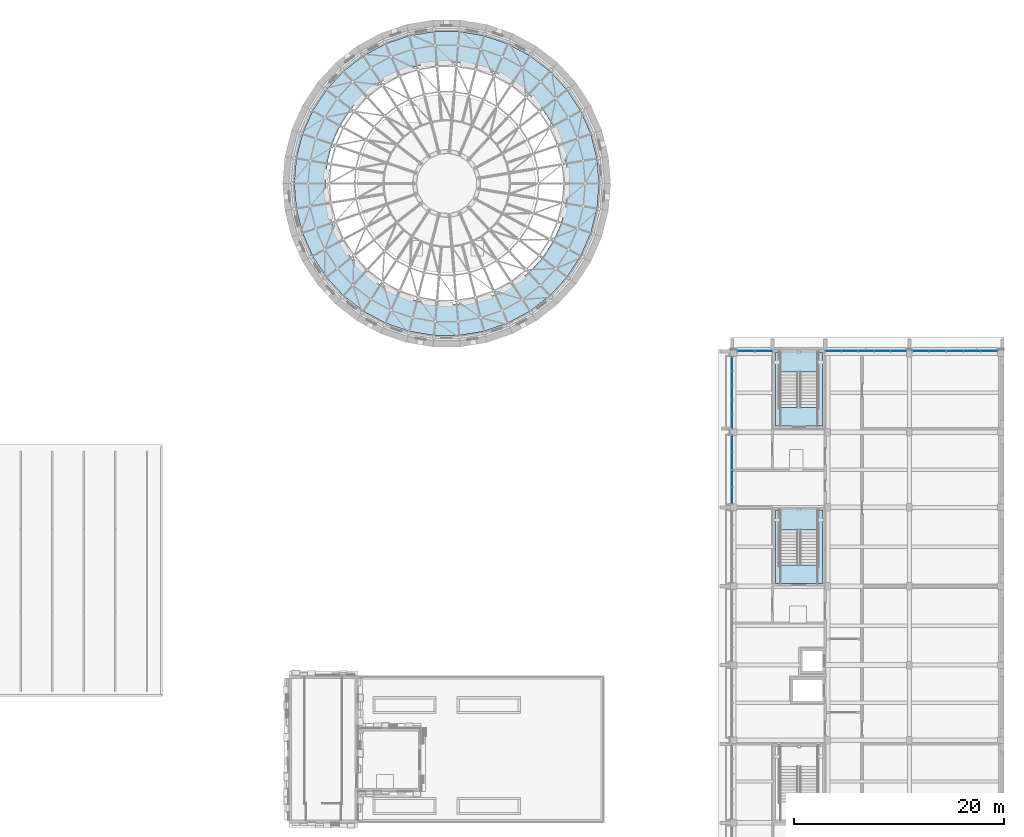
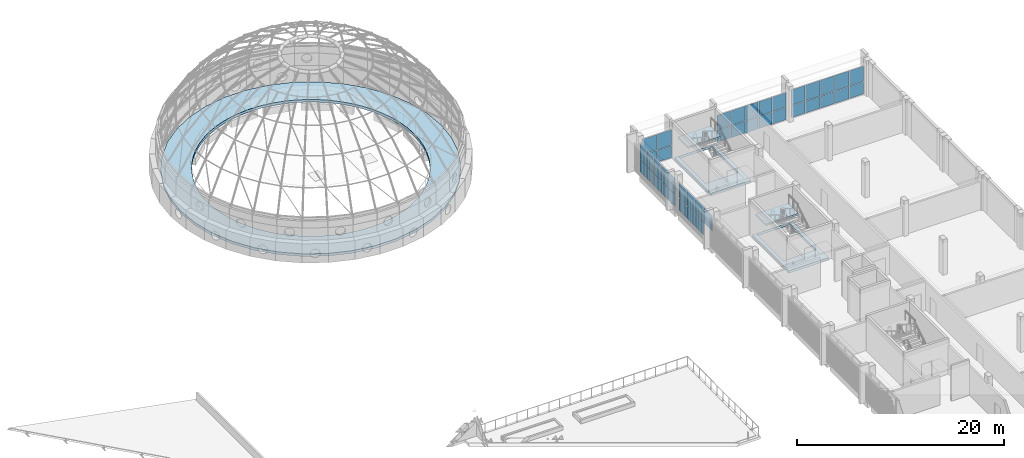
# One storey, part 48 of 98: 41 plates, 5 slabs, 7 elements without a shape of their own.
"""IFC4 building model written with IfcOpenShell, lengths in metres."""

from ifc_helpers import new_model, si_unit, direction, frame, origin, origin_2d, place, context, subcontext, project, spatial, polyline, rectangle, outline, extrude, material, layer, layer_set, type_object, element, aggregate, save


model = new_model("IFC4")

# Units and contexts
model_context = context("Model", 3, precision=1e-05, world=origin(), true_north=direction((0.0, 1.0)))
body_context = subcontext(model_context, "Body", "Model", "MODEL_VIEW")
ifc_project = project(units=[si_unit("LENGTHUNIT", "METRE"), si_unit("AREAUNIT", "SQUARE_METRE"), si_unit("VOLUMEUNIT", "CUBIC_METRE"), si_unit("PLANEANGLEUNIT", "RADIAN"), si_unit("MASSUNIT", "GRAM", prefix="KILO")], contexts=[model_context])

# Site, building, storey
site_placement = place(None, origin())
site = spatial("IfcSite", under=ifc_project, at=site_placement, CompositionType="ELEMENT")
building_placement = place(site_placement, origin())
building = spatial("IfcBuilding", under=site, at=building_placement, Name="Sun Court Science Centre", CompositionType="ELEMENT")
storey_placement = place(building_placement, frame((0.0, 0.0, 15.75)))
storey = spatial("IfcBuildingStorey", under=building, at=storey_placement, Name="L03", CompositionType="ELEMENT", Elevation=15.75)

# Slabs
ifc_material_1 = material(Name="Concrete C25/30", Category="concrete")
ifc_layer_1 = layer(ifc_material_1, 0.300048828125)
ifc_layer_set_1 = layer_set([ifc_layer_1], Name="Concrete C25/30")
slab_type_1 = type_object("IfcSlabType", Name="RC floor slab 300", PredefinedType="FLOOR", material=ifc_layer_set_1)
slab_1_placement = place(storey_placement, frame((0.0, 0.0, -0.300048828125)))
element("IfcSlab", 1, at=slab_1_placement, inside=storey, type_object=slab_type_1, Name="Stair SL3 landing slab L03", PredefinedType="FLOOR", context=body_context, shape_type="SweptSolid", body=[
    extrude(outline(polyline([(82.25, 65.75), (82.25, 58.75), (86.75, 58.75), (86.75, 65.75), (82.25, 65.75)]), holes=[polyline([(86.322998046875, 65.7451171875), (86.322998046875, 60.5029296875), (82.677001953125, 60.5029296875), (82.677001953125, 65.7451171875), (86.322998046875, 65.7451171875)])]), origin(), (0.0, 0.0, 1.0), 0.300048828125),
])
slab_2_placement = place(storey_placement, frame((0.0, 0.0, -0.300048828125)))
element("IfcSlab", 2, at=slab_2_placement, inside=storey, type_object=slab_type_1, Name="Stair SL4 landing slab L03", PredefinedType="FLOOR", context=body_context, shape_type="SweptSolid", body=[
    extrude(outline(polyline([(82.25, 80.75), (82.25, 73.75), (86.75, 73.75), (86.75, 80.75), (82.25, 80.75)]), holes=[polyline([(86.322998046875, 80.7451171875), (86.322998046875, 75.5029296875), (82.677001953125, 75.5029296875), (82.677001953125, 80.7451171875), (86.322998046875, 80.7451171875)])]), origin(), (0.0, 0.0, 1.0), 0.300048828125),
])
slab_3_placement = place(storey_placement, frame((0.0, 0.0, -0.300048828125)))
element("IfcSlab", 3, at=slab_3_placement, inside=storey, type_object=slab_type_1, Name="Floor slab L03", PredefinedType="FLOOR", context=body_context, shape_type="SweptSolid", body=[
    extrude(outline(polyline([(65.498291015625, 96.800048828125), (65.300537109375, 99.186279296875), (64.712646484375, 101.507568359375), (63.7509765625, 103.700439453125), (62.441162109375, 105.705078125), (60.8193359375, 107.466796875), (58.929931640625, 108.9375), (56.823974609375, 110.0771484375), (54.55908203125, 110.854736328125), (52.197265625, 111.248779296875), (49.802734375, 111.248779296875), (47.44091796875, 110.854736328125), (45.176025390625, 110.0771484375), (43.070068359375, 108.9375), (41.1806640625, 107.466796875), (39.558837890625, 105.705078125), (38.2490234375, 103.700439453125), (37.287353515625, 101.507568359375), (36.699462890625, 99.186279296875), (36.501708984375, 96.800048828125), (36.699462890625, 94.41357421875), (37.287353515625, 92.092529296875), (38.2490234375, 89.899658203125), (39.558837890625, 87.89501953125), (41.1806640625, 86.13330078125), (43.070068359375, 84.66259765625), (45.176025390625, 83.52294921875), (47.44091796875, 82.745361328125), (49.802734375, 82.351318359375), (52.197265625, 82.351318359375), (54.55908203125, 82.745361328125), (56.823974609375, 83.52294921875), (58.929931640625, 84.66259765625), (60.8193359375, 86.13330078125), (62.441162109375, 87.89501953125), (63.7509765625, 89.899658203125), (64.712646484375, 92.092529296875), (65.300537109375, 94.41357421875), (65.498291015625, 96.800048828125)]), holes=[polyline([(62.444580078125, 97.92724609375), (62.5, 96.800048828125), (62.444580078125, 95.6728515625), (62.279052734375, 94.556396484375), (62.0048828125, 93.461669921875), (61.62451171875, 92.399169921875), (61.14208984375, 91.37890625), (60.56201171875, 90.410888671875), (59.8896484375, 89.50439453125), (59.1318359375, 88.668212890625), (58.29541015625, 87.910400390625), (57.38916015625, 87.238037109375), (56.421142578125, 86.657958984375), (55.40087890625, 86.17529296875), (54.33837890625, 85.795166015625), (53.24365234375, 85.52099609375), (52.127197265625, 85.35546875), (51.0, 85.300048828125), (49.872802734375, 85.35546875), (48.75634765625, 85.52099609375), (47.66162109375, 85.795166015625), (46.59912109375, 86.17529296875), (45.578857421875, 86.657958984375), (44.61083984375, 87.238037109375), (43.70458984375, 87.910400390625), (42.8681640625, 88.668212890625), (42.1103515625, 89.50439453125), (41.43798828125, 90.410888671875), (40.85791015625, 91.37890625), (40.37548828125, 92.399169921875), (39.9951171875, 93.461669921875), (39.720947265625, 94.556396484375), (39.555419921875, 95.6728515625), (39.5, 96.800048828125), (39.555419921875, 97.92724609375), (39.720947265625, 99.04345703125), (39.9951171875, 100.13818359375), (40.37548828125, 101.200927734375), (40.85791015625, 102.220947265625), (41.43798828125, 103.18896484375), (42.1103515625, 104.095458984375), (42.8681640625, 104.931640625), (43.70458984375, 105.689697265625), (44.61083984375, 106.36181640625), (45.578857421875, 106.942138671875), (46.59912109375, 107.424560546875), (47.66162109375, 107.804931640625), (48.75634765625, 108.0791015625), (49.872802734375, 108.24462890625), (51.0, 108.300048828125), (52.127197265625, 108.24462890625), (53.24365234375, 108.0791015625), (54.33837890625, 107.804931640625), (55.40087890625, 107.424560546875), (56.421142578125, 106.942138671875), (57.38916015625, 106.36181640625), (58.29541015625, 105.689697265625), (59.1318359375, 104.931640625), (59.8896484375, 104.095458984375), (60.56201171875, 103.18896484375), (61.14208984375, 102.220947265625), (61.62451171875, 101.200927734375), (62.0048828125, 100.13818359375), (62.279052734375, 99.04345703125), (62.444580078125, 97.92724609375)])]), origin(), (0.0, 0.0, 1.0), 0.300048828125),
])

# Curtain wall, plates
ifc_material_2 = material(Name="Aluminium EN AW-6063 T6", Category="aluminium")
curtain_wall_type = type_object("IfcCurtainWallType", Name="Laboratory tall bay curtain wall 1500", PredefinedType="NOTDEFINED", material=ifc_material_2)
curtain_wall_1_placement = place(storey_placement, origin())
curtain_wall_1 = element("IfcCurtainWall", 4, at=curtain_wall_1_placement, inside=storey, type_object=curtain_wall_type, Name="Curtain wall V4 W L03 08", PredefinedType="NOTDEFINED")
ifc_material_3 = material(Name="Solar-control glass", Category="glass")
ifc_layer_2 = layer(ifc_material_3, 0.028076171875)
ifc_layer_set_2 = layer_set([ifc_layer_2], Name="Solar-control glass")
plate_type = type_object("IfcPlateType", Name="Solar-control glazing panel 8-12-8", PredefinedType="CURTAIN_PANEL", material=ifc_layer_set_2)
plate_1_placement = place(storey_placement, frame((78.14990234375, 68.75634765625, 0.06005859375), z_axis=(0.0, 0.0, 1.0), x_axis=(0.0, 1.0, 0.0)))
plate_1 = element("IfcPlate", 5, at=plate_1_placement, type_object=plate_type, Name="CW2-35 panel 2.1", PredefinedType="CURTAIN_PANEL", context=body_context, shape_type="SweptSolid", body=[
    extrude(rectangle(XDim=1.577392578125, YDim=0.028076171875, at=origin_2d()), origin(), (0.0, 0.0, 1.0), 1.409912109375),
])
plate_2_placement = place(storey_placement, frame((78.14990234375, 70.393798828125, 0.06005859375), z_axis=(0.0, 0.0, 1.0), x_axis=(0.0, 1.0, 0.0)))
plate_2 = element("IfcPlate", 6, at=plate_2_placement, type_object=plate_type, Name="CW2-35 panel 3.1", PredefinedType="CURTAIN_PANEL", context=body_context, shape_type="SweptSolid", body=[
    extrude(rectangle(XDim=1.577392578125, YDim=0.028076171875, at=origin_2d()), origin(), (0.0, 0.0, 1.0), 1.409912109375),
])
plate_3_placement = place(storey_placement, frame((78.14990234375, 72.016357421875, 0.06005859375), z_axis=(0.0, 0.0, 1.0), x_axis=(0.0, 1.0, 0.0)))
plate_3 = element("IfcPlate", 7, at=plate_3_placement, type_object=plate_type, Name="CW2-35 panel 4.1", PredefinedType="CURTAIN_PANEL", context=body_context, shape_type="SweptSolid", body=[
    extrude(rectangle(XDim=1.547607421875, YDim=0.028076171875, at=origin_2d()), origin(), (0.0, 0.0, 1.0), 1.409912109375),
])
plate_4_placement = place(storey_placement, frame((78.14990234375, 67.1337890625, 1.530029296875), z_axis=(0.0, 0.0, 1.0), x_axis=(0.0, 1.0, 0.0)))
plate_4 = element("IfcPlate", 8, at=plate_4_placement, type_object=plate_type, Name="CW2-35 panel 1.2", PredefinedType="CURTAIN_PANEL", context=body_context, shape_type="SweptSolid", body=[
    extrude(rectangle(XDim=1.547607421875, YDim=0.028076171875, at=origin_2d()), origin(), (0.0, 0.0, 1.0), 1.81005859375),
])
plate_5_placement = place(storey_placement, frame((78.14990234375, 68.75634765625, 1.530029296875), z_axis=(0.0, 0.0, 1.0), x_axis=(0.0, 1.0, 0.0)))
plate_5 = element("IfcPlate", 9, at=plate_5_placement, type_object=plate_type, Name="CW2-35 panel 2.2", PredefinedType="CURTAIN_PANEL", context=body_context, shape_type="SweptSolid", body=[
    extrude(rectangle(XDim=1.577392578125, YDim=0.028076171875, at=origin_2d()), origin(), (0.0, 0.0, 1.0), 1.81005859375),
])
plate_6_placement = place(storey_placement, frame((78.14990234375, 70.393798828125, 1.530029296875), z_axis=(0.0, 0.0, 1.0), x_axis=(0.0, 1.0, 0.0)))
plate_6 = element("IfcPlate", 10, at=plate_6_placement, type_object=plate_type, Name="CW2-35 panel 3.2", PredefinedType="CURTAIN_PANEL", context=body_context, shape_type="SweptSolid", body=[
    extrude(rectangle(XDim=1.577392578125, YDim=0.028076171875, at=origin_2d()), origin(), (0.0, 0.0, 1.0), 1.81005859375),
])
plate_7_placement = place(storey_placement, frame((78.14990234375, 72.016357421875, 1.530029296875), z_axis=(0.0, 0.0, 1.0), x_axis=(0.0, 1.0, 0.0)))
plate_7 = element("IfcPlate", 11, at=plate_7_placement, type_object=plate_type, Name="CW2-35 panel 4.2", PredefinedType="CURTAIN_PANEL", context=body_context, shape_type="SweptSolid", body=[
    extrude(rectangle(XDim=1.547607421875, YDim=0.028076171875, at=origin_2d()), origin(), (0.0, 0.0, 1.0), 1.81005859375),
])
aggregate(curtain_wall_1, [plate_1, plate_2, plate_3, plate_4, plate_5, plate_6, plate_7])

curtain_wall_2_placement = place(storey_placement, origin())
curtain_wall_2 = element("IfcCurtainWall", 12, at=curtain_wall_2_placement, inside=storey, type_object=curtain_wall_type, Name="Curtain wall V4 W L03 09", PredefinedType="NOTDEFINED")
plate_8_placement = place(storey_placement, frame((78.14990234375, 74.155029296875, 0.06005859375), z_axis=(0.0, 0.0, 1.0), x_axis=(0.0, 1.0, 0.0)))
plate_8 = element("IfcPlate", 13, at=plate_8_placement, type_object=plate_type, Name="CW2-36 panel 1.1", PredefinedType="CURTAIN_PANEL", context=body_context, shape_type="SweptSolid", body=[
    extrude(rectangle(XDim=1.2900390625, YDim=0.028076171875, at=origin_2d()), origin(), (0.0, 0.0, 1.0), 1.409912109375),
])
plate_9_placement = place(storey_placement, frame((78.14990234375, 75.52001953125, 0.06005859375), z_axis=(0.0, 0.0, 1.0), x_axis=(0.0, 1.0, 0.0)))
plate_9 = element("IfcPlate", 14, at=plate_9_placement, type_object=plate_type, Name="CW2-36 panel 2.1", PredefinedType="CURTAIN_PANEL", context=body_context, shape_type="SweptSolid", body=[
    extrude(rectangle(XDim=1.320068359375, YDim=0.028076171875, at=origin_2d()), origin(), (0.0, 0.0, 1.0), 1.409912109375),
])
plate_10_placement = place(storey_placement, frame((78.14990234375, 76.89990234375, 0.06005859375), z_axis=(0.0, 0.0, 1.0), x_axis=(0.0, 1.0, 0.0)))
plate_10 = element("IfcPlate", 15, at=plate_10_placement, type_object=plate_type, Name="CW2-36 panel 3.1", PredefinedType="CURTAIN_PANEL", context=body_context, shape_type="SweptSolid", body=[
    extrude(rectangle(XDim=1.320068359375, YDim=0.028076171875, at=origin_2d()), origin(), (0.0, 0.0, 1.0), 1.409912109375),
])
plate_11_placement = place(storey_placement, frame((78.14990234375, 78.280029296875, 0.06005859375), z_axis=(0.0, 0.0, 1.0), x_axis=(0.0, 1.0, 0.0)))
plate_11 = element("IfcPlate", 16, at=plate_11_placement, type_object=plate_type, Name="CW2-36 panel 4.1", PredefinedType="CURTAIN_PANEL", context=body_context, shape_type="SweptSolid", body=[
    extrude(rectangle(XDim=1.320068359375, YDim=0.028076171875, at=origin_2d()), origin(), (0.0, 0.0, 1.0), 1.409912109375),
])
plate_12_placement = place(storey_placement, frame((78.14990234375, 79.64501953125, 0.06005859375), z_axis=(0.0, 0.0, 1.0), x_axis=(0.0, 1.0, 0.0)))
plate_12 = element("IfcPlate", 17, at=plate_12_placement, type_object=plate_type, Name="CW2-36 panel 5.1", PredefinedType="CURTAIN_PANEL", context=body_context, shape_type="SweptSolid", body=[
    extrude(rectangle(XDim=1.2900390625, YDim=0.028076171875, at=origin_2d()), origin(), (0.0, 0.0, 1.0), 1.409912109375),
])
plate_13_placement = place(storey_placement, frame((78.14990234375, 74.155029296875, 1.530029296875), z_axis=(0.0, 0.0, 1.0), x_axis=(0.0, 1.0, 0.0)))
plate_13 = element("IfcPlate", 18, at=plate_13_placement, type_object=plate_type, Name="CW2-36 panel 1.2", PredefinedType="CURTAIN_PANEL", context=body_context, shape_type="SweptSolid", body=[
    extrude(rectangle(XDim=1.2900390625, YDim=0.028076171875, at=origin_2d()), origin(), (0.0, 0.0, 1.0), 1.81005859375),
])
plate_14_placement = place(storey_placement, frame((78.14990234375, 75.52001953125, 1.530029296875), z_axis=(0.0, 0.0, 1.0), x_axis=(0.0, 1.0, 0.0)))
plate_14 = element("IfcPlate", 19, at=plate_14_placement, type_object=plate_type, Name="CW2-36 panel 2.2", PredefinedType="CURTAIN_PANEL", context=body_context, shape_type="SweptSolid", body=[
    extrude(rectangle(XDim=1.320068359375, YDim=0.028076171875, at=origin_2d()), origin(), (0.0, 0.0, 1.0), 1.81005859375),
])
plate_15_placement = place(storey_placement, frame((78.14990234375, 76.89990234375, 1.530029296875), z_axis=(0.0, 0.0, 1.0), x_axis=(0.0, 1.0, 0.0)))
plate_15 = element("IfcPlate", 20, at=plate_15_placement, type_object=plate_type, Name="CW2-36 panel 3.2", PredefinedType="CURTAIN_PANEL", context=body_context, shape_type="SweptSolid", body=[
    extrude(rectangle(XDim=1.320068359375, YDim=0.028076171875, at=origin_2d()), origin(), (0.0, 0.0, 1.0), 1.81005859375),
])
plate_16_placement = place(storey_placement, frame((78.14990234375, 78.280029296875, 1.530029296875), z_axis=(0.0, 0.0, 1.0), x_axis=(0.0, 1.0, 0.0)))
plate_16 = element("IfcPlate", 21, at=plate_16_placement, type_object=plate_type, Name="CW2-36 panel 4.2", PredefinedType="CURTAIN_PANEL", context=body_context, shape_type="SweptSolid", body=[
    extrude(rectangle(XDim=1.320068359375, YDim=0.028076171875, at=origin_2d()), origin(), (0.0, 0.0, 1.0), 1.81005859375),
])
plate_17_placement = place(storey_placement, frame((78.14990234375, 79.64501953125, 1.530029296875), z_axis=(0.0, 0.0, 1.0), x_axis=(0.0, 1.0, 0.0)))
plate_17 = element("IfcPlate", 22, at=plate_17_placement, type_object=plate_type, Name="CW2-36 panel 5.2", PredefinedType="CURTAIN_PANEL", context=body_context, shape_type="SweptSolid", body=[
    extrude(rectangle(XDim=1.2900390625, YDim=0.028076171875, at=origin_2d()), origin(), (0.0, 0.0, 1.0), 1.81005859375),
])
aggregate(curtain_wall_2, [plate_8, plate_9, plate_10, plate_11, plate_12, plate_13, plate_14, plate_15, plate_16, plate_17])

curtain_wall_3_placement = place(storey_placement, origin())
curtain_wall_3 = element("IfcCurtainWall", 23, at=curtain_wall_3_placement, inside=storey, type_object=curtain_wall_type, Name="Curtain wall V4 N L03 01", PredefinedType="NOTDEFINED")
plate_18_placement = place(storey_placement, frame((79.465087890625, 80.85009765625, 0.06005859375), z_axis=(0.0, 0.0, 1.0), x_axis=(1.0, 0.0, 0.0)))
plate_18 = element("IfcPlate", 24, at=plate_18_placement, type_object=plate_type, Name="CW2-70 panel 1.1", PredefinedType="CURTAIN_PANEL", context=body_context, shape_type="SweptSolid", body=[
    extrude(rectangle(XDim=1.610107421875, YDim=0.028076171875, at=origin_2d()), origin(), (0.0, 0.0, 1.0), 1.409912109375),
])
plate_19_placement = place(storey_placement, frame((81.135009765625, 80.85009765625, 0.06005859375), z_axis=(0.0, 0.0, 1.0), x_axis=(1.0, 0.0, 0.0)))
plate_19 = element("IfcPlate", 25, at=plate_19_placement, type_object=plate_type, Name="CW2-70 panel 2.1", PredefinedType="CURTAIN_PANEL", context=body_context, shape_type="SweptSolid", body=[
    extrude(rectangle(XDim=1.610107421875, YDim=0.028076171875, at=origin_2d()), origin(), (0.0, 0.0, 1.0), 1.409912109375),
])
plate_20_placement = place(storey_placement, frame((79.465087890625, 80.85009765625, 1.530029296875), z_axis=(0.0, 0.0, 1.0), x_axis=(1.0, 0.0, 0.0)))
plate_20 = element("IfcPlate", 26, at=plate_20_placement, type_object=plate_type, Name="CW2-70 panel 1.2", PredefinedType="CURTAIN_PANEL", context=body_context, shape_type="SweptSolid", body=[
    extrude(rectangle(XDim=1.610107421875, YDim=0.028076171875, at=origin_2d()), origin(), (0.0, 0.0, 1.0), 1.81005859375),
])
plate_21_placement = place(storey_placement, frame((81.135009765625, 80.85009765625, 1.530029296875), z_axis=(0.0, 0.0, 1.0), x_axis=(1.0, 0.0, 0.0)))
plate_21 = element("IfcPlate", 27, at=plate_21_placement, type_object=plate_type, Name="CW2-70 panel 2.2", PredefinedType="CURTAIN_PANEL", context=body_context, shape_type="SweptSolid", body=[
    extrude(rectangle(XDim=1.610107421875, YDim=0.028076171875, at=origin_2d()), origin(), (0.0, 0.0, 1.0), 1.81005859375),
])
aggregate(curtain_wall_3, [plate_18, plate_19, plate_20, plate_21])

curtain_wall_4_placement = place(storey_placement, origin())
curtain_wall_4 = element("IfcCurtainWall", 28, at=curtain_wall_4_placement, inside=storey, type_object=curtain_wall_type, Name="Curtain wall V4 N L03 02", PredefinedType="NOTDEFINED")
plate_22_placement = place(storey_placement, frame((87.7900390625, 80.85009765625, 0.06005859375), z_axis=(0.0, 0.0, 1.0), x_axis=(1.0, 0.0, 0.0)))
plate_22 = element("IfcPlate", 29, at=plate_22_placement, type_object=plate_type, Name="CW2-71 panel 1.1", PredefinedType="CURTAIN_PANEL", context=body_context, shape_type="SweptSolid", body=[
    extrude(rectangle(XDim=1.4599609375, YDim=0.028076171875, at=origin_2d()), origin(), (0.0, 0.0, 1.0), 1.409912109375),
])
plate_23_placement = place(storey_placement, frame((89.324951171875, 80.85009765625, 0.06005859375), z_axis=(0.0, 0.0, 1.0), x_axis=(1.0, 0.0, 0.0)))
plate_23 = element("IfcPlate", 30, at=plate_23_placement, type_object=plate_type, Name="CW2-71 panel 2.1", PredefinedType="CURTAIN_PANEL", context=body_context, shape_type="SweptSolid", body=[
    extrude(rectangle(XDim=1.489990234375, YDim=0.028076171875, at=origin_2d()), origin(), (0.0, 0.0, 1.0), 1.409912109375),
])
plate_24_placement = place(storey_placement, frame((90.875, 80.85009765625, 0.06005859375), z_axis=(0.0, 0.0, 1.0), x_axis=(1.0, 0.0, 0.0)))
plate_24 = element("IfcPlate", 31, at=plate_24_placement, type_object=plate_type, Name="CW2-71 panel 3.1", PredefinedType="CURTAIN_PANEL", context=body_context, shape_type="SweptSolid", body=[
    extrude(rectangle(XDim=1.489990234375, YDim=0.028076171875, at=origin_2d()), origin(), (0.0, 0.0, 1.0), 1.409912109375),
])
plate_25_placement = place(storey_placement, frame((92.425048828125, 80.85009765625, 0.06005859375), z_axis=(0.0, 0.0, 1.0), x_axis=(1.0, 0.0, 0.0)))
plate_25 = element("IfcPlate", 32, at=plate_25_placement, type_object=plate_type, Name="CW2-71 panel 4.1", PredefinedType="CURTAIN_PANEL", context=body_context, shape_type="SweptSolid", body=[
    extrude(rectangle(XDim=1.489990234375, YDim=0.028076171875, at=origin_2d()), origin(), (0.0, 0.0, 1.0), 1.409912109375),
])
plate_26_placement = place(storey_placement, frame((93.9599609375, 80.85009765625, 0.06005859375), z_axis=(0.0, 0.0, 1.0), x_axis=(1.0, 0.0, 0.0)))
plate_26 = element("IfcPlate", 33, at=plate_26_placement, type_object=plate_type, Name="CW2-71 panel 5.1", PredefinedType="CURTAIN_PANEL", context=body_context, shape_type="SweptSolid", body=[
    extrude(rectangle(XDim=1.4599609375, YDim=0.028076171875, at=origin_2d()), origin(), (0.0, 0.0, 1.0), 1.409912109375),
])
plate_27_placement = place(storey_placement, frame((87.7900390625, 80.85009765625, 1.530029296875), z_axis=(0.0, 0.0, 1.0), x_axis=(1.0, 0.0, 0.0)))
plate_27 = element("IfcPlate", 34, at=plate_27_placement, type_object=plate_type, Name="CW2-71 panel 1.2", PredefinedType="CURTAIN_PANEL", context=body_context, shape_type="SweptSolid", body=[
    extrude(rectangle(XDim=1.4599609375, YDim=0.028076171875, at=origin_2d()), origin(), (0.0, 0.0, 1.0), 1.7099609375),
])
plate_28_placement = place(storey_placement, frame((89.324951171875, 80.85009765625, 1.530029296875), z_axis=(0.0, 0.0, 1.0), x_axis=(1.0, 0.0, 0.0)))
plate_28 = element("IfcPlate", 35, at=plate_28_placement, type_object=plate_type, Name="CW2-71 panel 2.2", PredefinedType="CURTAIN_PANEL", context=body_context, shape_type="SweptSolid", body=[
    extrude(rectangle(XDim=1.489990234375, YDim=0.028076171875, at=origin_2d()), origin(), (0.0, 0.0, 1.0), 1.7099609375),
])
plate_29_placement = place(storey_placement, frame((90.875, 80.85009765625, 1.530029296875), z_axis=(0.0, 0.0, 1.0), x_axis=(1.0, 0.0, 0.0)))
plate_29 = element("IfcPlate", 36, at=plate_29_placement, type_object=plate_type, Name="CW2-71 panel 3.2", PredefinedType="CURTAIN_PANEL", context=body_context, shape_type="SweptSolid", body=[
    extrude(rectangle(XDim=1.489990234375, YDim=0.028076171875, at=origin_2d()), origin(), (0.0, 0.0, 1.0), 1.7099609375),
])
plate_30_placement = place(storey_placement, frame((92.425048828125, 80.85009765625, 1.530029296875), z_axis=(0.0, 0.0, 1.0), x_axis=(1.0, 0.0, 0.0)))
plate_30 = element("IfcPlate", 37, at=plate_30_placement, type_object=plate_type, Name="CW2-71 panel 4.2", PredefinedType="CURTAIN_PANEL", context=body_context, shape_type="SweptSolid", body=[
    extrude(rectangle(XDim=1.489990234375, YDim=0.028076171875, at=origin_2d()), origin(), (0.0, 0.0, 1.0), 1.7099609375),
])
plate_31_placement = place(storey_placement, frame((93.9599609375, 80.85009765625, 1.530029296875), z_axis=(0.0, 0.0, 1.0), x_axis=(1.0, 0.0, 0.0)))
plate_31 = element("IfcPlate", 38, at=plate_31_placement, type_object=plate_type, Name="CW2-71 panel 5.2", PredefinedType="CURTAIN_PANEL", context=body_context, shape_type="SweptSolid", body=[
    extrude(rectangle(XDim=1.4599609375, YDim=0.028076171875, at=origin_2d()), origin(), (0.0, 0.0, 1.0), 1.7099609375),
])
aggregate(curtain_wall_4, [plate_22, plate_23, plate_24, plate_25, plate_26, plate_27, plate_28, plate_29, plate_30, plate_31])

curtain_wall_5_placement = place(storey_placement, origin())
curtain_wall_5 = element("IfcCurtainWall", 39, at=curtain_wall_5_placement, inside=storey, type_object=curtain_wall_type, Name="Curtain wall V4 N L03 03", PredefinedType="NOTDEFINED")
plate_32_placement = place(storey_placement, frame((96.080078125, 80.85009765625, 0.06005859375), z_axis=(0.0, 0.0, 1.0), x_axis=(1.0, 0.0, 0.0)))
plate_32 = element("IfcPlate", 40, at=plate_32_placement, type_object=plate_type, Name="CW2-72 panel 1.1", PredefinedType="CURTAIN_PANEL", context=body_context, shape_type="SweptSolid", body=[
    extrude(rectangle(XDim=1.5400390625, YDim=0.028076171875, at=origin_2d()), origin(), (0.0, 0.0, 1.0), 1.409912109375),
])
plate_33_placement = place(storey_placement, frame((97.695068359375, 80.85009765625, 0.06005859375), z_axis=(0.0, 0.0, 1.0), x_axis=(1.0, 0.0, 0.0)))
plate_33 = element("IfcPlate", 41, at=plate_33_placement, type_object=plate_type, Name="CW2-72 panel 2.1", PredefinedType="CURTAIN_PANEL", context=body_context, shape_type="SweptSolid", body=[
    extrude(rectangle(XDim=1.570068359375, YDim=0.028076171875, at=origin_2d()), origin(), (0.0, 0.0, 1.0), 1.409912109375),
])
plate_34_placement = place(storey_placement, frame((99.324951171875, 80.85009765625, 0.06005859375), z_axis=(0.0, 0.0, 1.0), x_axis=(1.0, 0.0, 0.0)))
plate_34 = element("IfcPlate", 42, at=plate_34_placement, type_object=plate_type, Name="CW2-72 panel 3.1", PredefinedType="CURTAIN_PANEL", context=body_context, shape_type="SweptSolid", body=[
    extrude(rectangle(XDim=1.570068359375, YDim=0.028076171875, at=origin_2d()), origin(), (0.0, 0.0, 1.0), 1.409912109375),
])
plate_35_placement = place(storey_placement, frame((100.955078125, 80.85009765625, 0.06005859375), z_axis=(0.0, 0.0, 1.0), x_axis=(1.0, 0.0, 0.0)))
plate_35 = element("IfcPlate", 43, at=plate_35_placement, type_object=plate_type, Name="CW2-72 panel 4.1", PredefinedType="CURTAIN_PANEL", context=body_context, shape_type="SweptSolid", body=[
    extrude(rectangle(XDim=1.570068359375, YDim=0.028076171875, at=origin_2d()), origin(), (0.0, 0.0, 1.0), 1.409912109375),
])
plate_36_placement = place(storey_placement, frame((102.570068359375, 80.85009765625, 0.06005859375), z_axis=(0.0, 0.0, 1.0), x_axis=(1.0, 0.0, 0.0)))
plate_36 = element("IfcPlate", 44, at=plate_36_placement, type_object=plate_type, Name="CW2-72 panel 5.1", PredefinedType="CURTAIN_PANEL", context=body_context, shape_type="SweptSolid", body=[
    extrude(rectangle(XDim=1.5400390625, YDim=0.028076171875, at=origin_2d()), origin(), (0.0, 0.0, 1.0), 1.409912109375),
])
plate_37_placement = place(storey_placement, frame((96.080078125, 80.85009765625, 1.530029296875), z_axis=(0.0, 0.0, 1.0), x_axis=(1.0, 0.0, 0.0)))
plate_37 = element("IfcPlate", 45, at=plate_37_placement, type_object=plate_type, Name="CW2-72 panel 1.2", PredefinedType="CURTAIN_PANEL", context=body_context, shape_type="SweptSolid", body=[
    extrude(rectangle(XDim=1.5400390625, YDim=0.028076171875, at=origin_2d()), origin(), (0.0, 0.0, 1.0), 1.81005859375),
])
plate_38_placement = place(storey_placement, frame((97.695068359375, 80.85009765625, 1.530029296875), z_axis=(0.0, 0.0, 1.0), x_axis=(1.0, 0.0, 0.0)))
plate_38 = element("IfcPlate", 46, at=plate_38_placement, type_object=plate_type, Name="CW2-72 panel 2.2", PredefinedType="CURTAIN_PANEL", context=body_context, shape_type="SweptSolid", body=[
    extrude(rectangle(XDim=1.570068359375, YDim=0.028076171875, at=origin_2d()), origin(), (0.0, 0.0, 1.0), 1.81005859375),
])
plate_39_placement = place(storey_placement, frame((99.324951171875, 80.85009765625, 1.530029296875), z_axis=(0.0, 0.0, 1.0), x_axis=(1.0, 0.0, 0.0)))
plate_39 = element("IfcPlate", 47, at=plate_39_placement, type_object=plate_type, Name="CW2-72 panel 3.2", PredefinedType="CURTAIN_PANEL", context=body_context, shape_type="SweptSolid", body=[
    extrude(rectangle(XDim=1.570068359375, YDim=0.028076171875, at=origin_2d()), origin(), (0.0, 0.0, 1.0), 1.81005859375),
])
plate_40_placement = place(storey_placement, frame((100.955078125, 80.85009765625, 1.530029296875), z_axis=(0.0, 0.0, 1.0), x_axis=(1.0, 0.0, 0.0)))
plate_40 = element("IfcPlate", 48, at=plate_40_placement, type_object=plate_type, Name="CW2-72 panel 4.2", PredefinedType="CURTAIN_PANEL", context=body_context, shape_type="SweptSolid", body=[
    extrude(rectangle(XDim=1.570068359375, YDim=0.028076171875, at=origin_2d()), origin(), (0.0, 0.0, 1.0), 1.81005859375),
])
plate_41_placement = place(storey_placement, frame((102.570068359375, 80.85009765625, 1.530029296875), z_axis=(0.0, 0.0, 1.0), x_axis=(1.0, 0.0, 0.0)))
plate_41 = element("IfcPlate", 49, at=plate_41_placement, type_object=plate_type, Name="CW2-72 panel 5.2", PredefinedType="CURTAIN_PANEL", context=body_context, shape_type="SweptSolid", body=[
    extrude(rectangle(XDim=1.5400390625, YDim=0.028076171875, at=origin_2d()), origin(), (0.0, 0.0, 1.0), 1.81005859375),
])
aggregate(curtain_wall_5, [plate_32, plate_33, plate_34, plate_35, plate_36, plate_37, plate_38, plate_39, plate_40, plate_41])

# Stair, slab
ifc_material_4 = material(Name="Concrete C25/30", Category="concrete")
stair_type = type_object("IfcStairType", Name="Stair 1500 enclosed half-turn", PredefinedType="HALF_TURN_STAIR", material=ifc_material_4)
stair_1_placement = place(storey_placement, origin())
stair_1 = element("IfcStair", 50, at=stair_1_placement, inside=storey, type_object=stair_type, Name="L03 Stair SL3", PredefinedType="HALF_TURN_STAIR")
ifc_material_5 = material(Name="Concrete C25/30", Category="concrete")
ifc_layer_3 = layer(ifc_material_5, 0.199951171875)
ifc_layer_set_3 = layer_set([ifc_layer_3], Name="Concrete C25/30")
slab_type_2 = type_object("IfcSlabType", Name="Stair landing 200", PredefinedType="LANDING", material=ifc_layer_set_3)
slab_4_placement = place(storey_placement, frame((0.0, 0.0, 2.050048828125)))
slab_4 = element("IfcSlab", 51, at=slab_4_placement, type_object=slab_type_2, Name="SL3 landing 1", PredefinedType="LANDING", context=body_context, shape_type="SweptSolid", body=[
    extrude(outline(polyline([(86.322998046875, 63.85400390625), (86.322998046875, 65.85009765625), (82.677001953125, 65.85009765625), (82.677001953125, 63.85400390625), (86.322998046875, 63.85400390625)])), origin(), (0.0, 0.0, 1.0), 0.199951171875),
])
aggregate(stair_1, [slab_4])

stair_2_placement = place(storey_placement, origin())
stair_2 = element("IfcStair", 52, at=stair_2_placement, inside=storey, type_object=stair_type, Name="L03 Stair SL4", PredefinedType="HALF_TURN_STAIR")
slab_5_placement = place(storey_placement, frame((0.0, 0.0, 2.050048828125)))
slab_5 = element("IfcSlab", 53, at=slab_5_placement, type_object=slab_type_2, Name="SL4 landing 1", PredefinedType="LANDING", context=body_context, shape_type="SweptSolid", body=[
    extrude(outline(polyline([(86.322998046875, 78.85400390625), (86.322998046875, 80.85009765625), (82.677001953125, 80.85009765625), (82.677001953125, 78.85400390625), (86.322998046875, 78.85400390625)])), origin(), (0.0, 0.0, 1.0), 0.199951171875),
])
aggregate(stair_2, [slab_5])

save(model, "model.ifc")
